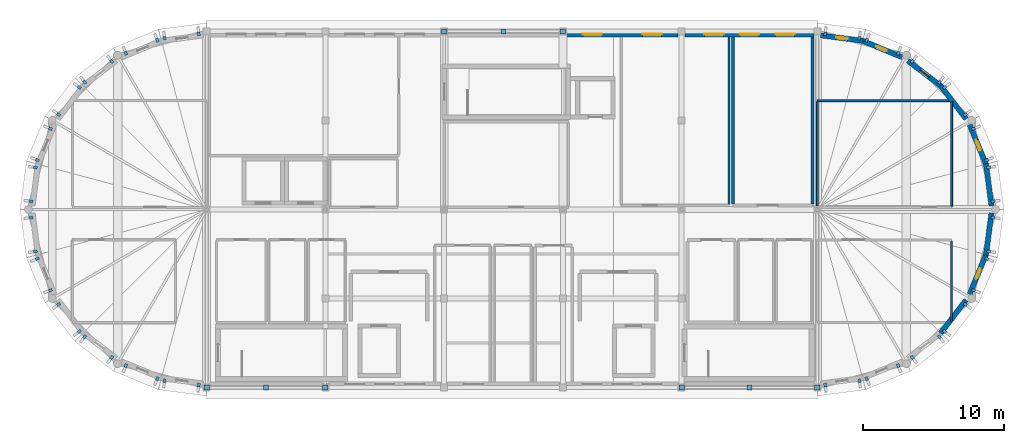
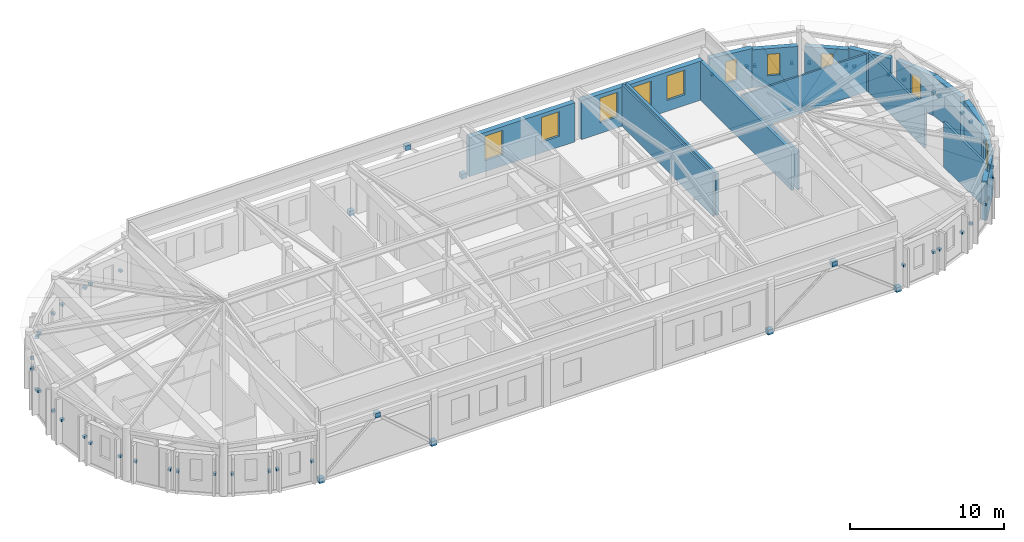
# One storey, part 10 of 11: 57 discrete accessories, 18 walls, 10 windows, 10 openings.
"""IFC4 building model written with IfcOpenShell, lengths in metres."""

import ifcopenshell
import ifcopenshell.guid

model = None  # the IFC model being written
_history = None  # IfcOwnerHistory: only IFC2X3 demands one
_inside = {}  # id of a spatial element -> (the spatial element, [elements in it])
_under = {}  # id of a project, library or spatial element -> (it, [spatial elements below it])
_declared = {}  # id of a project -> (the project, [libraries it declares])
_typed = {}  # id of a type object -> (the type object, [elements of that type])
_made_of = {}  # id of a material, layer set ... -> (it, [elements and type objects made of it])


def new_model(schema):
    """Start an empty IFC model of exactly this schema.

    Asked for "IFC4X3", IfcOpenShell would pick the latest addendum, in which some entities
    have other attributes; the version numbers below select the first issue.
    IFC2X3 requires an IfcOwnerHistory on every rooted entity: one is made here for all.
    """
    global model, _history
    if schema == "IFC4X3":
        model = ifcopenshell.file(schema_version=(4, 3, 0, 0))
    else:
        model = ifcopenshell.file(schema=schema)
    _inside.clear()
    _under.clear()
    _declared.clear()
    _typed.clear()
    _made_of.clear()
    _history = None
    if model.schema == "IFC2X3":
        org = make("IfcOrganization", Name="unknown")
        user = make(
            "IfcPersonAndOrganization",
            ThePerson=make("IfcPerson", FamilyName="unknown"),
            TheOrganization=org,
        )
        app = make(
            "IfcApplication",
            ApplicationDeveloper=org,
            Version="unknown",
            ApplicationFullName="unknown",
            ApplicationIdentifier="unknown",
        )
        _history = make(
            "IfcOwnerHistory",
            OwningUser=user,
            OwningApplication=app,
            ChangeAction="ADDED",
            CreationDate=0,
        )
    return model


def make(cls, **values):
    """One entity of the class cls with the attributes given. An attribute that is None is left unset."""
    return model.create_entity(
        cls, **{name: value for name, value in values.items() if value is not None}
    )


def rooted(cls, **values):
    """An entity with a GlobalId (a new one), such as an element, a storey or a relation."""
    return make(cls, GlobalId=ifcopenshell.guid.new(), OwnerHistory=_history, **values)


def si_unit(unit_type, name, prefix=None):
    """IfcSIUnit, for example si_unit("LENGTHUNIT", "METRE", prefix="MILLI")."""
    return make("IfcSIUnit", UnitType=unit_type, Prefix=prefix, Name=name)


def assignment(units):
    """IfcUnitAssignment: the units of a project."""
    return None if units is None else make("IfcUnitAssignment", Units=units)


def point(xyz):
    """IfcCartesianPoint."""
    return None if xyz is None else make("IfcCartesianPoint", Coordinates=xyz)


def direction(xyz):
    """IfcDirection."""
    return None if xyz is None else make("IfcDirection", DirectionRatios=xyz)


def frame(location, z_axis=None, x_axis=None):
    """IfcAxis2Placement3D, a coordinate frame: its origin and axes. An axis left out is left unset."""
    return make(
        "IfcAxis2Placement3D",
        Location=point(location),
        Axis=direction(z_axis),
        RefDirection=direction(x_axis),
    )


def frame_2d(location, x_axis=None):
    """IfcAxis2Placement2D, a coordinate frame in the plane: its origin and x axis."""
    return make(
        "IfcAxis2Placement2D", Location=point(location), RefDirection=direction(x_axis)
    )


def origin():
    """The frame at (0, 0, 0) with its axes left unset."""
    return frame((0.0, 0.0, 0.0))


def origin_2d():
    """The frame at (0, 0) in the plane with its x axis left unset."""
    return frame_2d((0.0, 0.0))


def place(relative_to, where):
    """IfcLocalPlacement: puts the frame where relative to a parent placement (None: the world)."""
    return make(
        "IfcLocalPlacement", PlacementRelTo=relative_to, RelativePlacement=where
    )


def context(
    kind, dimensions, precision=None, world=None, true_north=None, identifier=None
):
    """IfcGeometricRepresentationContext, for example the 3D "Model" context."""
    return make(
        "IfcGeometricRepresentationContext",
        ContextIdentifier=identifier,
        ContextType=kind,
        CoordinateSpaceDimension=dimensions,
        Precision=precision,
        WorldCoordinateSystem=world,
        TrueNorth=true_north,
    )


def subcontext(parent, identifier, kind, view, scale=None):
    """IfcGeometricRepresentationSubContext, for example "Body" below "Model"."""
    return make(
        "IfcGeometricRepresentationSubContext",
        ContextIdentifier=identifier,
        ContextType=kind,
        ParentContext=parent,
        TargetScale=scale,
        TargetView=view,
    )


def project(units=None, contexts=None):
    """IfcProject with its units and contexts."""
    return rooted(
        "IfcProject",
        Name="project",
        RepresentationContexts=contexts,
        UnitsInContext=assignment(units),
    )


def spatial(cls, under=None, at=None, **own):
    """A site, building, storey or space (cls), placed at a placement, below another one or the project."""
    s = rooted(cls, ObjectPlacement=at, **own)
    if under is not None:
        _under.setdefault(under.id(), (under, []))[1].append(s)
    return s


def profile(cls, at=None, kind="AREA", **sizes):
    """A parametric profile (cls). Its sizes go by their IFC names, for example OverallWidth=200.0."""
    return make(cls, ProfileType=kind, Position=at, **sizes)


def rectangle(**sizes):
    """IfcRectangleProfileDef."""
    return profile("IfcRectangleProfileDef", **sizes)


def extrude(swept, where, along, depth):
    """IfcExtrudedAreaSolid: the profile swept, set in the frame where, extruded along a direction by depth."""
    return make(
        "IfcExtrudedAreaSolid",
        SweptArea=swept,
        Position=where,
        ExtrudedDirection=direction(along),
        Depth=depth,
    )


def shape(context_of_items, identifier, shape_type, items):
    """IfcShapeRepresentation: the items that make up one representation, for example the "Body"."""
    return make(
        "IfcShapeRepresentation",
        ContextOfItems=context_of_items,
        RepresentationIdentifier=identifier,
        RepresentationType=shape_type,
        Items=items,
    )


def material(Name=None, Category=None):
    """IfcMaterial."""
    return make("IfcMaterial", Name=Name, Category=Category)


def layer(
    of_material, thickness, ventilated=None, Name=None, Category=None, Priority=None
):
    """IfcMaterialLayer: one layer of a wall or slab, of a material (None: an air gap)."""
    return make(
        "IfcMaterialLayer",
        Material=of_material,
        LayerThickness=thickness,
        IsVentilated=ventilated,
        Name=Name,
        Category=Category,
        Priority=Priority,
    )


def layer_set(layers, Name=None):
    """IfcMaterialLayerSet."""
    return make("IfcMaterialLayerSet", MaterialLayers=layers, LayerSetName=Name)


def made_of(thing, what):
    """Note that an element or type object is made of a material, layer set ...; save() writes the relation."""
    if what is not None:
        _made_of.setdefault(what.id(), (what, []))[1].append(thing)
    return thing


def type_object(cls, material=None, **own):
    """A type object (cls), such as IfcWallType, which elements share."""
    return made_of(rooted(cls, **own), material)


def element(
    cls,
    number,
    at=None,
    inside=None,
    cuts=None,
    type_object=None,
    material=None,
    context=None,
    identifier="Body",
    shape_type=None,
    held_by="IfcProductDefinitionShape",
    body=None,
    shapes=None,
    **own,
):
    """One element of the class cls, such as IfcWall. Its Tag is "e" and its number.

    at: its placement. inside: the storey or other place that contains it. cuts: it is an
    opening in that element (IfcRelVoidsElement). A single representation is given by context,
    identifier, shape_type and body (its items); several are given by shapes. held_by: the class
    of the entity that holds the representations. save() writes the other relations.
    """
    e = rooted(cls, Tag="e%d" % number, ObjectPlacement=at, **own)
    if body is not None:
        shapes = [shape(context, identifier, shape_type, body)]
    if shapes is not None:
        e.Representation = make(held_by, Representations=shapes)
    if inside is not None:
        _inside.setdefault(inside.id(), (inside, []))[1].append(e)
    if cuts is not None:
        rooted(
            "IfcRelVoidsElement", RelatingBuildingElement=cuts, RelatedOpeningElement=e
        )
    if type_object is not None:
        _typed.setdefault(type_object.id(), (type_object, []))[1].append(e)
    return made_of(e, material)


def fill(opening, filler):
    """IfcRelFillsElement: the door or window that sits in an opening."""
    return rooted(
        "IfcRelFillsElement",
        RelatingOpeningElement=opening,
        RelatedBuildingElement=filler,
    )


def aggregate(whole, parts):
    """IfcRelAggregates: a whole, such as a stair, and the parts it consists of."""
    return rooted("IfcRelAggregates", RelatingObject=whole, RelatedObjects=parts)


def save(model, path):
    """Write the relations noted so far, then the file.

    IfcRelAggregates (storeys below a building ...), IfcRelContainedInSpatialStructure (elements
    in a storey), IfcRelDefinesByType, IfcRelAssociatesMaterial and IfcRelDeclares: one each for
    every whole, place, type object, material and project.
    """
    for whole, parts in _under.values():
        aggregate(whole, parts)
    for where, things in _inside.values():
        rooted(
            "IfcRelContainedInSpatialStructure",
            RelatedElements=things,
            RelatingStructure=where,
        )
    for kind, things in _typed.values():
        rooted("IfcRelDefinesByType", RelatedObjects=things, RelatingType=kind)
    for what, things in _made_of.values():
        rooted("IfcRelAssociatesMaterial", RelatedObjects=things, RelatingMaterial=what)
    for by, libraries in _declared.values():
        rooted("IfcRelDeclares", RelatingContext=by, RelatedDefinitions=libraries)
    model.write(path)


model = new_model("IFC4")

# Units and contexts
model_context = context("Model", 3, precision=1e-05, world=origin(), true_north=direction((0.0, 1.0)))
body_context = subcontext(model_context, "Body", "Model", "MODEL_VIEW")
ifc_project = project(units=[si_unit("LENGTHUNIT", "METRE"), si_unit("AREAUNIT", "SQUARE_METRE"), si_unit("VOLUMEUNIT", "CUBIC_METRE"), si_unit("PLANEANGLEUNIT", "RADIAN"), si_unit("MASSUNIT", "GRAM", prefix="KILO")], contexts=[model_context])

# Site, building, storey
site_placement = place(None, origin())
site = spatial("IfcSite", under=ifc_project, at=site_placement, CompositionType="ELEMENT")
building_placement = place(site_placement, origin())
building = spatial("IfcBuilding", under=site, at=building_placement, Name="Tarnavel Promenade Courthouse", CompositionType="ELEMENT")
storey_placement = place(building_placement, frame((0.0, 0.0, 35.39990234375)))
storey = spatial("IfcBuildingStorey", under=building, at=storey_placement, Name="L09", CompositionType="ELEMENT", Elevation=35.39990234375)

# Walls
ifc_material_1 = material(Name="Acoustic Insulated Gypsum Stud Partition", Category="gypsum")
ifc_layer_1 = layer(ifc_material_1, 0.14990234375)
ifc_layer_set_1 = layer_set([ifc_layer_1], Name="Acoustic Insulated Gypsum Stud Partition")
wall_type_1 = type_object("IfcWallType", Name="Acoustic Insulated Gypsum Stud Partition WL-LIB-150 (150 mm)", PredefinedType="PARTITIONING", material=ifc_layer_set_1)
wall_1_placement = place(storey_placement, frame((111.5, 89.56494140625, 0.0), z_axis=(0.0, 0.0, 1.0), x_axis=(0.0, -1.0, 0.0)))
element("IfcWall", 1, at=wall_1_placement, inside=storey, type_object=wall_type_1, Name="L09 L09 East Drum Collegium Reference Room Partition 1060", PredefinedType="PARTITIONING", context=body_context, shape_type="SweptSolid", body=[
    extrude(rectangle(XDim=5.679931640625, YDim=0.14990234375, at=frame_2d((2.83984375, 0.0))), origin(), (0.0, 0.0, 1.0), 3.59521484375),
])
ifc_material_2 = material(Name="Concrete Masonry Fire Compartment Wall", Category="masonry")
ifc_layer_2 = layer(ifc_material_2, 0.205078125)
ifc_layer_set_2 = layer_set([ifc_layer_2], Name="Concrete Masonry Fire Compartment Wall")
wall_type_2 = type_object("IfcWallType", Name="Concrete Masonry Fire Compartment Wall WL-CMP-205 (205 mm)", PredefinedType="STANDARD", material=ifc_layer_set_2)
wall_2_placement = place(storey_placement, frame((96.02587890625, 92.202392578125, 0.0), z_axis=(0.0, 0.0, 1.0), x_axis=(0.0, 1.0, 0.0)))
element("IfcWall", 2, at=wall_2_placement, inside=storey, type_object=wall_type_2, Name="L09 Upper Air-Handling Plant Room West Partition 1034", PredefinedType="STANDARD", context=body_context, shape_type="SweptSolid", body=[
    extrude(rectangle(XDim=11.793701171875, YDim=0.205078125, at=frame_2d((5.89697265625, 0.0))), origin(), (0.0, 0.0, 1.0), 3.295166015625),
])
wall_3_placement = place(storey_placement, frame((101.659912109375, 103.99609375, 0.0), z_axis=(0.0, 0.0, 1.0), x_axis=(0.0, -1.0, 0.0)))
element("IfcWall", 3, at=wall_3_placement, inside=storey, type_object=wall_type_2, Name="L09 Upper Air-Handling Plant Room West Partition 1035", PredefinedType="STANDARD", context=body_context, shape_type="SweptSolid", body=[
    extrude(rectangle(XDim=11.793701171875, YDim=0.205078125, at=frame_2d((5.89697265625, 0.0))), origin(), (0.0, 0.0, 1.0), 3.09521484375),
])

# Wall, openings, windows
ifc_material_3 = material(Name="Cream Brick Insulated Cavity Facade Assembly", Category="masonry")
ifc_layer_3 = layer(ifc_material_3, 0.3798828125)
ifc_layer_set_3 = layer_set([ifc_layer_3], Name="Cream Brick Insulated Cavity Facade Assembly")
wall_type_3 = type_object("IfcWallType", Name="Cream Brick Insulated Cavity Facade Assembly WL-EXT-380 (380 mm)", PredefinedType="STANDARD", material=ifc_layer_set_3)
wall_4_placement = place(storey_placement, frame((84.241943359375, 104.179931640625, 0.0), z_axis=(0.0, 0.0, 1.0), x_axis=(1.0, 0.0, 0.0)))
wall_4 = element("IfcWall", 4, at=wall_4_placement, inside=storey, type_object=wall_type_3, Name="L09 Bar North Limestone Facade 0241", PredefinedType="STANDARD", context=body_context, shape_type="SweptSolid", body=[
    extrude(rectangle(XDim=7.916015625, YDim=0.3798828125, at=frame_2d((3.9580078125, 0.0))), origin(), (0.0, 0.0, 1.0), 3.09521484375),
])
opening_1_placement = place(wall_4_placement, frame((1.169677734375, 0.0, 0.85009765625)))
opening_1 = element("IfcOpeningElement", 5, at=opening_1_placement, cuts=wall_4, Name="Opening W-04", PredefinedType="OPENING", context=body_context, shape_type="SweptSolid", body=[
    extrude(rectangle(XDim=1.35009765625, YDim=1.949951171875, at=frame_2d((0.675048828125, 0.97509765625))), frame((0.0, 0.199951171875, 0.0), z_axis=(0.0, -1.0, 0.0), x_axis=(1.0, 0.0, 0.0)), (0.0, 0.0, 1.0), 0.39990234375),
])
opening_2_placement = place(wall_4_placement, frame((5.396240234375, 0.0, 0.85009765625)))
opening_2 = element("IfcOpeningElement", 6, at=opening_2_placement, cuts=wall_4, Name="Opening W-04", PredefinedType="OPENING", context=body_context, shape_type="SweptSolid", body=[
    extrude(rectangle(XDim=1.35009765625, YDim=1.949951171875, at=frame_2d((0.675048828125, 0.97509765625))), frame((0.0, 0.199951171875, 0.0), z_axis=(0.0, -1.0, 0.0), x_axis=(1.0, 0.0, 0.0)), (0.0, 0.0, 1.0), 0.39990234375),
])
ifc_material_4 = material(Name="Triple Low-E Glazed Bronze-Clad Window Assembly")
window_type_1 = type_object("IfcWindowType", Name="Triple-Glazed Bronze-Clad Timber-Aluminium WIN-CHM-1350x1950", PartitioningType="SINGLE_PANEL", PredefinedType="WINDOW", material=ifc_material_4)
window_1_placement = place(opening_1_placement, origin())
window_1 = element("IfcWindow", 7, at=window_1_placement, inside=storey, type_object=window_type_1, Name="L09 Exterior Window 0205", OverallHeight=1.949951171875, OverallWidth=1.35009765625, PartitioningType="SINGLE_PANEL", PredefinedType="WINDOW", context=body_context, shape_type="SweptSolid", body=[
    extrude(rectangle(XDim=1.35009765625, YDim=1.949951171875, at=frame_2d((0.675048828125, 0.97509765625))), frame((0.0, 0.030029296875, 0.0), z_axis=(0.0, -1.0, 0.0), x_axis=(1.0, 0.0, 0.0)), (0.0, 0.0, 1.0), 0.06005859375),
])
fill(opening_1, window_1)
window_2_placement = place(opening_2_placement, origin())
window_2 = element("IfcWindow", 8, at=window_2_placement, inside=storey, type_object=window_type_1, Name="L09 Exterior Window 0206", OverallHeight=1.949951171875, OverallWidth=1.35009765625, PartitioningType="SINGLE_PANEL", PredefinedType="WINDOW", context=body_context, shape_type="SweptSolid", body=[
    extrude(rectangle(XDim=1.35009765625, YDim=1.949951171875, at=frame_2d((0.675048828125, 0.97509765625))), frame((0.0, 0.030029296875, 0.0), z_axis=(0.0, -1.0, 0.0), x_axis=(1.0, 0.0, 0.0)), (0.0, 0.0, 1.0), 0.06005859375),
])
fill(opening_2, window_2)

wall_5_placement = place(storey_placement, frame((92.64208984375, 104.179931640625, 0.0), z_axis=(0.0, 0.0, 1.0), x_axis=(1.0, 0.0, 0.0)))
wall_5 = element("IfcWall", 9, at=wall_5_placement, inside=storey, type_object=wall_type_3, Name="L09 Bar North Limestone Facade 0242", PredefinedType="STANDARD", context=body_context, shape_type="SweptSolid", body=[
    extrude(rectangle(XDim=9.115966796875, YDim=0.3798828125, at=frame_2d((4.55810546875, 0.0))), origin(), (0.0, 0.0, 1.0), 3.09521484375),
])
opening_3_placement = place(wall_5_placement, frame((1.36962890625, 0.0, 0.85009765625)))
opening_3 = element("IfcOpeningElement", 10, at=opening_3_placement, cuts=wall_5, Name="Opening W-04", PredefinedType="OPENING", context=body_context, shape_type="SweptSolid", body=[
    extrude(rectangle(XDim=1.35009765625, YDim=1.949951171875, at=frame_2d((0.675048828125, 0.97509765625))), frame((0.0, 0.199951171875, 0.0), z_axis=(0.0, -1.0, 0.0), x_axis=(1.0, 0.0, 0.0)), (0.0, 0.0, 1.0), 0.39990234375),
])
opening_4_placement = place(wall_5_placement, frame((3.883056640625, 0.0, 0.85009765625)))
opening_4 = element("IfcOpeningElement", 11, at=opening_4_placement, cuts=wall_5, Name="Opening W-04", PredefinedType="OPENING", context=body_context, shape_type="SweptSolid", body=[
    extrude(rectangle(XDim=1.35009765625, YDim=1.949951171875, at=frame_2d((0.675048828125, 0.97509765625))), frame((0.0, 0.199951171875, 0.0), z_axis=(0.0, -1.0, 0.0), x_axis=(1.0, 0.0, 0.0)), (0.0, 0.0, 1.0), 0.39990234375),
])
opening_5_placement = place(wall_5_placement, frame((6.396240234375, 0.0, 0.85009765625)))
opening_5 = element("IfcOpeningElement", 12, at=opening_5_placement, cuts=wall_5, Name="Opening W-04", PredefinedType="OPENING", context=body_context, shape_type="SweptSolid", body=[
    extrude(rectangle(XDim=1.35009765625, YDim=1.949951171875, at=frame_2d((0.675048828125, 0.97509765625))), frame((0.0, 0.199951171875, 0.0), z_axis=(0.0, -1.0, 0.0), x_axis=(1.0, 0.0, 0.0)), (0.0, 0.0, 1.0), 0.39990234375),
])
window_3_placement = place(opening_3_placement, origin())
window_3 = element("IfcWindow", 13, at=window_3_placement, inside=storey, type_object=window_type_1, Name="L09 Exterior Window 0207", OverallHeight=1.949951171875, OverallWidth=1.35009765625, PartitioningType="SINGLE_PANEL", PredefinedType="WINDOW", context=body_context, shape_type="SweptSolid", body=[
    extrude(rectangle(XDim=1.35009765625, YDim=1.949951171875, at=frame_2d((0.675048828125, 0.97509765625))), frame((0.0, 0.030029296875, 0.0), z_axis=(0.0, -1.0, 0.0), x_axis=(1.0, 0.0, 0.0)), (0.0, 0.0, 1.0), 0.06005859375),
])
fill(opening_3, window_3)
window_4_placement = place(opening_4_placement, origin())
window_4 = element("IfcWindow", 14, at=window_4_placement, inside=storey, type_object=window_type_1, Name="L09 Exterior Window 0208", OverallHeight=1.949951171875, OverallWidth=1.35009765625, PartitioningType="SINGLE_PANEL", PredefinedType="WINDOW", context=body_context, shape_type="SweptSolid", body=[
    extrude(rectangle(XDim=1.35009765625, YDim=1.949951171875, at=frame_2d((0.675048828125, 0.97509765625))), frame((0.0, 0.030029296875, 0.0), z_axis=(0.0, -1.0, 0.0), x_axis=(1.0, 0.0, 0.0)), (0.0, 0.0, 1.0), 0.06005859375),
])
fill(opening_4, window_4)
window_5_placement = place(opening_5_placement, origin())
window_5 = element("IfcWindow", 15, at=window_5_placement, inside=storey, type_object=window_type_1, Name="L09 Exterior Window 0209", OverallHeight=1.949951171875, OverallWidth=1.35009765625, PartitioningType="SINGLE_PANEL", PredefinedType="WINDOW", context=body_context, shape_type="SweptSolid", body=[
    extrude(rectangle(XDim=1.35009765625, YDim=1.949951171875, at=frame_2d((0.675048828125, 0.97509765625))), frame((0.0, 0.030029296875, 0.0), z_axis=(0.0, -1.0, 0.0), x_axis=(1.0, 0.0, 0.0)), (0.0, 0.0, 1.0), 0.06005859375),
])
fill(opening_5, window_5)

# Walls
ifc_material_5 = material(Name="Metal-Stud Acoustic Gypsum Partition", Category="gypsum")
ifc_layer_4 = layer(ifc_material_5, 0.135009765625)
ifc_layer_set_4 = layer_set([ifc_layer_4], Name="Metal-Stud Acoustic Gypsum Partition")
wall_type_4 = type_object("IfcWallType", Name="Metal-Stud Acoustic Gypsum Partition WL-OFF-135 (135 mm)", PredefinedType="PARTITIONING", material=ifc_layer_set_4)
wall_6_placement = place(storey_placement, frame((95.74609375, 103.99609375, 0.0), z_axis=(0.0, 0.0, 1.0), x_axis=(0.0, -1.0, 0.0)))
element("IfcWall", 16, at=wall_6_placement, inside=storey, type_object=wall_type_4, Name="L09 Judicial Council Boardroom Partition 1032", PredefinedType="PARTITIONING", context=body_context, shape_type="SweptSolid", body=[
    extrude(rectangle(XDim=11.82861328125, YDim=0.135009765625, at=frame_2d((5.914306640625, 0.0))), origin(), (0.0, 0.0, 1.0), 3.295166015625),
])
wall_7_placement = place(storey_placement, frame((102.0, 99.5, 0.0), z_axis=(0.0, 0.0, 1.0), x_axis=(1.0, 0.0, 0.0)))
element("IfcWall", 17, at=wall_7_placement, inside=storey, type_object=wall_type_4, Name="L09 L09 East Drum Rotunda Office North Partition 1053", PredefinedType="PARTITIONING", context=body_context, shape_type="SweptSolid", body=[
    extrude(rectangle(XDim=9.5, YDim=0.135009765625, at=frame_2d((4.75, 0.0))), origin(), (0.0, 0.0, 1.0), 2.9951171875),
])
for number, where, z_axis, x_axis, name in (
    (18, (102.0, 92.027587890625, 0.0), (0.0, 0.0, 1.0), (0.0, 1.0, 0.0), "L09 L09 East Drum Rotunda Office North Partition 1055"),
    (19, (111.5, 99.422607421875, 0.0), (0.0, 0.0, 1.0), (0.0, -1.0, 0.0), "L09 L09 East Drum Rotunda Office North Partition 1056"),
):
    element("IfcWall", number, at=place(storey_placement, frame(where, z_axis=z_axis, x_axis=x_axis)), inside=storey, type_object=wall_type_4, Name=name, PredefinedType="PARTITIONING", context=body_context, shape_type="SweptSolid", body=[
        extrude(rectangle(XDim=7.39501953125, YDim=0.135009765625, at=frame_2d((3.697509765625, 0.0))), origin(), (0.0, 0.0, 1.0), 3.09521484375),
    ])
ifc_material_6 = material(Name="Patinated Copper-Bronze Insulated Drum Wall Assembly", Category="masonry")
ifc_layer_5 = layer(ifc_material_6, 0.364990234375)
ifc_layer_set_5 = layer_set([ifc_layer_5], Name="Patinated Copper-Bronze Insulated Drum Wall Assembly")
wall_type_5 = type_object("IfcWallType", Name="Patinated Copper-Bronze Insulated Drum Wall Assembly WL-DRUM-365 (365 mm)", PredefinedType="ELEMENTEDWALL", material=ifc_layer_set_5)
wall_8_placement = place(storey_placement, frame((110.711181640625, 83.04248046875, 0.0), z_axis=(0.0, 0.0, 1.0), x_axis=(0.608710660898, 0.793392293452, 0.0)))
element("IfcWall", 20, at=wall_8_placement, inside=storey, type_object=wall_type_5, Name="L09 E Copper Drum Chord Wall 04 0263", PredefinedType="ELEMENTEDWALL", context=body_context, shape_type="SweptSolid", body=[
    extrude(rectangle(XDim=2.974365234375, YDim=0.364990234375, at=frame_2d((1.4873046875, 0.0))), origin(), (0.0, 0.0, 1.0), 3.09521484375),
])

# Wall, opening, window
wall_9_placement = place(storey_placement, frame((112.767822265625, 85.805419921875, 0.0), z_axis=(0.0, 0.0, 1.0), x_axis=(0.382689777405, 0.923876904284, 0.0)))
wall_9 = element("IfcWall", 21, at=wall_9_placement, inside=storey, type_object=wall_type_5, Name="L09 E Copper Drum Chord Wall 05 0264", PredefinedType="ELEMENTEDWALL", context=body_context, shape_type="SweptSolid", body=[
    extrude(rectangle(XDim=3.062255859375, YDim=0.364990234375, at=frame_2d((1.53125, 0.0))), origin(), (0.0, 0.0, 1.0), 3.09521484375),
])
opening_6_placement = place(wall_9_placement, frame((1.175048828125, 0.0, 0.85009765625)))
opening_6 = element("IfcOpeningElement", 22, at=opening_6_placement, cuts=wall_9, Name="Opening W-09", PredefinedType="OPENING", context=body_context, shape_type="SweptSolid", body=[
    extrude(rectangle(XDim=0.800048828125, YDim=1.699951171875, at=frame_2d((0.39990234375, 0.85009765625))), frame((0.0, 0.1923828125, 0.0), z_axis=(0.0, -1.0, 0.0), x_axis=(1.0, 0.0, 0.0)), (0.0, 0.0, 1.0), 0.385009765625),
])
window_type_2 = type_object("IfcWindowType", Name="Triple-Glazed Bronze-Clad Timber-Aluminium WIN-DRM-0800x1700", PartitioningType="SINGLE_PANEL", PredefinedType="WINDOW", material=ifc_material_4)
window_6_placement = place(opening_6_placement, origin())
window_6 = element("IfcWindow", 23, at=window_6_placement, inside=storey, type_object=window_type_2, Name="L09 Exterior Window 0228", OverallHeight=1.699951171875, OverallWidth=0.800048828125, PartitioningType="SINGLE_PANEL", PredefinedType="WINDOW", context=body_context, shape_type="SweptSolid", body=[
    extrude(rectangle(XDim=0.800048828125, YDim=1.699951171875, at=frame_2d((0.39990234375, 0.85009765625))), frame((0.0, 0.030029296875, 0.0), z_axis=(0.0, -1.0, 0.0), x_axis=(1.0, 0.0, 0.0)), (0.0, 0.0, 1.0), 0.06005859375),
])
fill(opening_6, window_6)

# Walls
for number, where, z_axis, x_axis, name in (
    (24, (113.9228515625, 88.571533203125, 0.0), (0.0, 0.0, 1.0), (0.130517619253, 0.991445989989, 0.0), "L09 E Copper Drum Chord Wall 06 0265"),
    (25, (114.314697265625, 92.052001953125, 0.0), (0.0, 0.0, 1.0), (-0.130517619253, 0.991445989989, 0.0), "L09 E Copper Drum Chord Wall 07 0266"),
):
    element("IfcWall", number, at=place(storey_placement, frame(where, z_axis=z_axis, x_axis=x_axis)), inside=storey, type_object=wall_type_5, Name=name, PredefinedType="ELEMENTEDWALL", context=body_context, shape_type="SweptSolid", body=[
        extrude(rectangle(XDim=3.002197265625, YDim=0.364990234375, at=frame_2d((1.5009765625, 0.0))), origin(), (0.0, 0.0, 1.0), 3.09521484375),
    ])

# Wall, opening, window
wall_10_placement = place(storey_placement, frame((113.939697265625, 94.965576171875, 0.0), z_axis=(0.0, 0.0, 1.0), x_axis=(-0.382689777405, 0.923876904284, 0.0)))
wall_10 = element("IfcWall", 26, at=wall_10_placement, inside=storey, type_object=wall_type_5, Name="L09 E Copper Drum Chord Wall 08 0267", PredefinedType="ELEMENTEDWALL", context=body_context, shape_type="SweptSolid", body=[
    extrude(rectangle(XDim=3.062255859375, YDim=0.364990234375, at=frame_2d((1.53125, 0.0))), origin(), (0.0, 0.0, 1.0), 3.09521484375),
])
opening_7_placement = place(wall_10_placement, frame((1.087158203125, 0.0, 0.85009765625)))
opening_7 = element("IfcOpeningElement", 27, at=opening_7_placement, cuts=wall_10, Name="Opening W-09", PredefinedType="OPENING", context=body_context, shape_type="SweptSolid", body=[
    extrude(rectangle(XDim=0.800048828125, YDim=1.699951171875, at=frame_2d((0.39990234375, 0.85009765625))), frame((0.0, 0.1923828125, 0.0), z_axis=(0.0, -1.0, 0.0), x_axis=(1.0, 0.0, 0.0)), (0.0, 0.0, 1.0), 0.385009765625),
])
window_7_placement = place(opening_7_placement, origin())
window_7 = element("IfcWindow", 28, at=window_7_placement, inside=storey, type_object=window_type_2, Name="L09 Exterior Window 0229", OverallHeight=1.699951171875, OverallWidth=0.800048828125, PartitioningType="SINGLE_PANEL", PredefinedType="WINDOW", context=body_context, shape_type="SweptSolid", body=[
    extrude(rectangle(XDim=0.800048828125, YDim=1.699951171875, at=frame_2d((0.39990234375, 0.85009765625))), frame((0.0, 0.030029296875, 0.0), z_axis=(0.0, -1.0, 0.0), x_axis=(1.0, 0.0, 0.0)), (0.0, 0.0, 1.0), 0.06005859375),
])
fill(opening_7, window_7)

# Wall
wall_11_placement = place(storey_placement, frame((112.521728515625, 98.19775390625, 0.0), z_axis=(0.0, 0.0, 1.0), x_axis=(-0.608750303306, 0.793361877219, 0.0)))
element("IfcWall", 29, at=wall_11_placement, inside=storey, type_object=wall_type_5, Name="L09 E Copper Drum Chord Wall 09 0268", PredefinedType="ELEMENTEDWALL", context=body_context, shape_type="SweptSolid", body=[
    extrude(rectangle(XDim=2.97412109375, YDim=0.364990234375, at=frame_2d((1.487060546875, 0.0))), origin(), (0.0, 0.0, 1.0), 3.09521484375),
])

# Wall, opening, window
wall_12_placement = place(storey_placement, frame((110.75732421875, 100.51123046875, 0.0), z_axis=(0.0, 0.0, 1.0), x_axis=(-0.793361877219, 0.608750303306, 0.0)))
wall_12 = element("IfcWall", 30, at=wall_12_placement, inside=storey, type_object=wall_type_5, Name="L09 E Copper Drum Chord Wall 10 0269", PredefinedType="ELEMENTEDWALL", context=body_context, shape_type="SweptSolid", body=[
    extrude(rectangle(XDim=2.97412109375, YDim=0.364990234375, at=frame_2d((1.487060546875, 0.0))), origin(), (0.0, 0.0, 1.0), 2.9951171875),
])
opening_8_placement = place(wall_12_placement, frame((1.087158203125, 0.0, 0.85009765625)))
opening_8 = element("IfcOpeningElement", 31, at=opening_8_placement, cuts=wall_12, Name="Opening W-09", PredefinedType="OPENING", context=body_context, shape_type="SweptSolid", body=[
    extrude(rectangle(XDim=0.800048828125, YDim=1.699951171875, at=frame_2d((0.39990234375, 0.85009765625))), frame((0.0, 0.1923828125, 0.0), z_axis=(0.0, -1.0, 0.0), x_axis=(1.0, 0.0, 0.0)), (0.0, 0.0, 1.0), 0.385009765625),
])
window_8_placement = place(opening_8_placement, origin())
window_8 = element("IfcWindow", 32, at=window_8_placement, inside=storey, type_object=window_type_2, Name="L09 Exterior Window 0230", OverallHeight=1.699951171875, OverallWidth=0.800048828125, PartitioningType="SINGLE_PANEL", PredefinedType="WINDOW", context=body_context, shape_type="SweptSolid", body=[
    extrude(rectangle(XDim=0.800048828125, YDim=1.699951171875, at=frame_2d((0.39990234375, 0.85009765625))), frame((0.0, 0.030029296875, 0.0), z_axis=(0.0, -1.0, 0.0), x_axis=(1.0, 0.0, 0.0)), (0.0, 0.0, 1.0), 0.06005859375),
])
fill(opening_8, window_8)

wall_13_placement = place(storey_placement, frame((107.99462890625, 102.56787109375, 0.0), z_axis=(0.0, 0.0, 1.0), x_axis=(-0.923876904284, 0.382689777405, 0.0)))
wall_13 = element("IfcWall", 33, at=wall_13_placement, inside=storey, type_object=wall_type_5, Name="L09 E Copper Drum Chord Wall 11 0270", PredefinedType="ELEMENTEDWALL", context=body_context, shape_type="SweptSolid", body=[
    extrude(rectangle(XDim=3.062255859375, YDim=0.364990234375, at=frame_2d((1.53125, 0.0))), origin(), (0.0, 0.0, 1.0), 2.9951171875),
])
opening_9_placement = place(wall_13_placement, frame((1.175048828125, 0.0, 0.85009765625)))
opening_9 = element("IfcOpeningElement", 34, at=opening_9_placement, cuts=wall_13, Name="Opening W-09", PredefinedType="OPENING", context=body_context, shape_type="SweptSolid", body=[
    extrude(rectangle(XDim=0.800048828125, YDim=1.699951171875, at=frame_2d((0.39990234375, 0.85009765625))), frame((0.0, 0.1923828125, 0.0), z_axis=(0.0, -1.0, 0.0), x_axis=(1.0, 0.0, 0.0)), (0.0, 0.0, 1.0), 0.385009765625),
])
window_9_placement = place(opening_9_placement, origin())
window_9 = element("IfcWindow", 35, at=window_9_placement, inside=storey, type_object=window_type_2, Name="L09 Exterior Window 0231", OverallHeight=1.699951171875, OverallWidth=0.800048828125, PartitioningType="SINGLE_PANEL", PredefinedType="WINDOW", context=body_context, shape_type="SweptSolid", body=[
    extrude(rectangle(XDim=0.800048828125, YDim=1.699951171875, at=frame_2d((0.39990234375, 0.85009765625))), frame((0.0, 0.030029296875, 0.0), z_axis=(0.0, -1.0, 0.0), x_axis=(1.0, 0.0, 0.0)), (0.0, 0.0, 1.0), 0.06005859375),
])
fill(opening_9, window_9)

wall_14_placement = place(storey_placement, frame((105.228515625, 103.722900390625, 0.0), z_axis=(0.0, 0.0, 1.0), x_axis=(-0.991450452257, 0.130483718216, 0.0)))
wall_14 = element("IfcWall", 36, at=wall_14_placement, inside=storey, type_object=wall_type_5, Name="L09 E Copper Drum Chord Wall 12 0271", PredefinedType="ELEMENTEDWALL", context=body_context, shape_type="SweptSolid", body=[
    extrude(rectangle(XDim=3.02734375, YDim=0.364990234375, at=frame_2d((1.513671875, 0.0))), origin(), (0.0, 0.0, 1.0), 3.09521484375),
])
opening_10_placement = place(wall_14_placement, frame((1.099609375, 0.0, 0.85009765625)))
opening_10 = element("IfcOpeningElement", 37, at=opening_10_placement, cuts=wall_14, Name="Opening W-09", PredefinedType="OPENING", context=body_context, shape_type="SweptSolid", body=[
    extrude(rectangle(XDim=0.800048828125, YDim=1.699951171875, at=frame_2d((0.39990234375, 0.85009765625))), frame((0.0, 0.1923828125, 0.0), z_axis=(0.0, -1.0, 0.0), x_axis=(1.0, 0.0, 0.0)), (0.0, 0.0, 1.0), 0.385009765625),
])
window_10_placement = place(opening_10_placement, origin())
window_10 = element("IfcWindow", 38, at=window_10_placement, inside=storey, type_object=window_type_2, Name="L09 Exterior Window 0232", OverallHeight=1.699951171875, OverallWidth=0.800048828125, PartitioningType="SINGLE_PANEL", PredefinedType="WINDOW", context=body_context, shape_type="SweptSolid", body=[
    extrude(rectangle(XDim=0.800048828125, YDim=1.699951171875, at=frame_2d((0.39990234375, 0.85009765625))), frame((0.0, 0.030029296875, 0.0), z_axis=(0.0, -1.0, 0.0), x_axis=(1.0, 0.0, 0.0)), (0.0, 0.0, 1.0), 0.06005859375),
])
fill(opening_10, window_10)

# Discrete accessories
ifc_material_7 = material(Name="Steel S355J2", Category="steel")
discrete_accessory_type_1 = type_object("IfcDiscreteAccessoryType", Name="Steel S355J2 Facade Pier Anchor Bracket", PredefinedType="BRACKET", material=ifc_material_7)
for number, where, z_axis, x_axis, name in (
    (39, (58.247802734375, 104.2265625, 1.45751953125), (0.0, 0.0, 1.0), (-0.991444861374, -0.13052619222, 0.0), "L09 Drum Pier Bracket 0319"),
    (40, (55.82958984375, 103.908203125, 1.45751953125), (0.0, 0.0, 1.0), (-0.991444861374, -0.13052619222, 0.0), "L09 Drum Pier Bracket 0320"),
    (41, (55.318603515625, 103.77099609375, 1.40771484375), (0.0, 0.0, 1.0), (-0.923879532511, -0.382683432365, 0.0), "L09 Drum Pier Bracket 0321"),
    (42, (53.087890625, 102.84716796875, 1.40771484375), (0.0, 0.0, 1.0), (-0.923879532511, -0.382683432365, 0.0), "L09 Drum Pier Bracket 0322"),
    (43, (52.0888671875, 102.2705078125, 1.40771484375), (0.0, 0.0, 1.0), (-0.793353340291, -0.608761429009, 0.0), "L09 Drum Pier Bracket 0323"),
    (44, (50.173583984375, 100.80078125, 1.40771484375), (0.0, 0.0, 1.0), (-0.793353340291, -0.608761429009, 0.0), "L09 Drum Pier Bracket 0324"),
    (45, (49.79931640625, 100.426513671875, 1.45751953125), (0.0, 0.0, 1.0), (-0.608761429009, -0.793353340291, 0.0), "L09 Drum Pier Bracket 0325"),
    (46, (48.32958984375, 98.51123046875, 1.45751953125), (0.0, 0.0, 1.0), (-0.608761429009, -0.793353340291, 0.0), "L09 Drum Pier Bracket 0326"),
    (47, (47.752685546875, 97.511962890625, 1.45751953125), (0.0, 0.0, 1.0), (-0.382683432365, -0.923879532511, 0.0), "L09 Drum Pier Bracket 0327"),
    (48, (46.828857421875, 95.281494140625, 1.45751953125), (0.0, 0.0, 1.0), (-0.382683432365, -0.923879532511, 0.0), "L09 Drum Pier Bracket 0328"),
    (49, (46.69189453125, 94.7705078125, 1.70751953125), (0.0, 0.0, 1.0), (-0.13052619222, -0.991444861374, 0.0), "L09 Drum Pier Bracket 0329"),
    (50, (46.376708984375, 92.376953125, 1.70751953125), (0.0, 0.0, 1.0), (-0.13052619222, -0.991444861374, 0.0), "L09 Drum Pier Bracket 0330"),
    (51, (46.376708984375, 91.22314453125, 1.70751953125), (0.0, 0.0, 1.0), (0.13052619222, -0.991444861374, 0.0), "L09 Drum Pier Bracket 0331"),
    (52, (46.69189453125, 88.82958984375, 1.70751953125), (0.0, 0.0, 1.0), (0.13052619222, -0.991444861374, 0.0), "L09 Drum Pier Bracket 0332"),
    (53, (46.828857421875, 88.318603515625, 1.45751953125), (0.0, 0.0, 1.0), (0.382683432365, -0.923879532511, 0.0), "L09 Drum Pier Bracket 0333"),
    (54, (47.752685546875, 86.087890625, 1.45751953125), (0.0, 0.0, 1.0), (0.382683432365, -0.923879532511, 0.0), "L09 Drum Pier Bracket 0334"),
    (55, (48.32958984375, 85.0888671875, 1.45751953125), (0.0, 0.0, 1.0), (0.608761429009, -0.793353340291, 0.0), "L09 Drum Pier Bracket 0335"),
    (56, (49.79931640625, 83.173583984375, 1.45751953125), (0.0, 0.0, 1.0), (0.608761429009, -0.793353340291, 0.0), "L09 Drum Pier Bracket 0336"),
    (57, (50.173583984375, 82.79931640625, 1.40771484375), (0.0, 0.0, 1.0), (0.793353340291, -0.608761429009, 0.0), "L09 Drum Pier Bracket 0337"),
    (58, (52.0888671875, 81.32958984375, 1.40771484375), (0.0, 0.0, 1.0), (0.793353340291, -0.608761429009, 0.0), "L09 Drum Pier Bracket 0338"),
    (59, (53.087890625, 80.752685546875, 1.40771484375), (0.0, 0.0, 1.0), (0.923879532511, -0.382683432365, 0.0), "L09 Drum Pier Bracket 0339"),
    (60, (55.318603515625, 79.828857421875, 1.40771484375), (0.0, 0.0, 1.0), (0.923879532511, -0.382683432365, 0.0), "L09 Drum Pier Bracket 0340"),
    (61, (55.82958984375, 79.69189453125, 1.45751953125), (0.0, 0.0, 1.0), (0.991444861374, -0.13052619222, 0.0), "L09 Drum Pier Bracket 0341"),
    (62, (58.247802734375, 79.37353515625, 1.45751953125), (0.0, 0.0, 1.0), (0.991444861374, -0.13052619222, 0.0), "L09 Drum Pier Bracket 0342"),
    (63, (102.552001953125, 79.37353515625, 1.45751953125), (0.0, 0.0, 1.0), (0.991444861374, 0.13052619222, 0.0), "L09 Drum Pier Bracket 0343"),
    (64, (104.970458984375, 79.69189453125, 1.45751953125), (0.0, 0.0, 1.0), (0.991444861374, 0.13052619222, 0.0), "L09 Drum Pier Bracket 0344"),
    (65, (105.4814453125, 79.828857421875, 1.40771484375), (0.0, 0.0, 1.0), (0.923879532511, 0.382683432365, 0.0), "L09 Drum Pier Bracket 0345"),
    (66, (107.7119140625, 80.752685546875, 1.40771484375), (0.0, 0.0, 1.0), (0.923879532511, 0.382683432365, 0.0), "L09 Drum Pier Bracket 0346"),
    (67, (108.711181640625, 81.32958984375, 1.40771484375), (0.0, 0.0, 1.0), (0.793353340291, 0.608761429009, 0.0), "L09 Drum Pier Bracket 0347"),
    (68, (110.62646484375, 82.79931640625, 1.40771484375), (0.0, 0.0, 1.0), (0.793353340291, 0.608761429009, 0.0), "L09 Drum Pier Bracket 0348"),
    (69, (111.000732421875, 83.173583984375, 1.45751953125), (0.0, 0.0, 1.0), (0.608761429009, 0.793353340291, 0.0), "L09 Drum Pier Bracket 0349"),
    (70, (112.470458984375, 85.0888671875, 1.45751953125), (0.0, 0.0, 1.0), (0.608761429009, 0.793353340291, 0.0), "L09 Drum Pier Bracket 0350"),
    (71, (113.047119140625, 86.087890625, 1.45751953125), (0.0, 0.0, 1.0), (0.382683432365, 0.923879532511, 0.0), "L09 Drum Pier Bracket 0351"),
    (72, (113.97119140625, 88.318603515625, 1.45751953125), (0.0, 0.0, 1.0), (0.382683432365, 0.923879532511, 0.0), "L09 Drum Pier Bracket 0352"),
    (73, (114.108154296875, 88.82958984375, 1.45751953125), (0.0, 0.0, 1.0), (0.13052619222, 0.991444861374, 0.0), "L09 Drum Pier Bracket 0353"),
    (74, (114.423095703125, 91.22314453125, 1.45751953125), (0.0, 0.0, 1.0), (0.13052619222, 0.991444861374, 0.0), "L09 Drum Pier Bracket 0354"),
    (75, (114.423095703125, 92.376953125, 1.45751953125), (0.0, 0.0, 1.0), (-0.13052619222, 0.991444861374, 0.0), "L09 Drum Pier Bracket 0355"),
    (76, (114.108154296875, 94.7705078125, 1.45751953125), (0.0, 0.0, 1.0), (-0.13052619222, 0.991444861374, 0.0), "L09 Drum Pier Bracket 0356"),
    (77, (113.97119140625, 95.281494140625, 1.45751953125), (0.0, 0.0, 1.0), (-0.382683432365, 0.923879532511, 0.0), "L09 Drum Pier Bracket 0357"),
    (78, (113.047119140625, 97.511962890625, 1.45751953125), (0.0, 0.0, 1.0), (-0.382683432365, 0.923879532511, 0.0), "L09 Drum Pier Bracket 0358"),
    (79, (112.470458984375, 98.51123046875, 1.45751953125), (0.0, 0.0, 1.0), (-0.608761429009, 0.793353340291, 0.0), "L09 Drum Pier Bracket 0359"),
    (80, (111.000732421875, 100.426513671875, 1.45751953125), (0.0, 0.0, 1.0), (-0.608761429009, 0.793353340291, 0.0), "L09 Drum Pier Bracket 0360"),
    (81, (110.62646484375, 100.80078125, 1.40771484375), (0.0, 0.0, 1.0), (-0.793353340291, 0.608761429009, 0.0), "L09 Drum Pier Bracket 0361"),
    (82, (108.711181640625, 102.2705078125, 1.40771484375), (0.0, 0.0, 1.0), (-0.793353340291, 0.608761429009, 0.0), "L09 Drum Pier Bracket 0362"),
    (83, (107.7119140625, 102.84716796875, 1.40771484375), (0.0, 0.0, 1.0), (-0.923879532511, 0.382683432365, 0.0), "L09 Drum Pier Bracket 0363"),
    (84, (105.4814453125, 103.77099609375, 1.40771484375), (0.0, 0.0, 1.0), (-0.923879532511, 0.382683432365, 0.0), "L09 Drum Pier Bracket 0364"),
    (85, (104.970458984375, 103.908203125, 1.45751953125), (0.0, 0.0, 1.0), (-0.991444861374, 0.13052619222, 0.0), "L09 Drum Pier Bracket 0365"),
    (86, (102.552001953125, 104.2265625, 1.45751953125), (0.0, 0.0, 1.0), (-0.991444861374, 0.13052619222, 0.0), "L09 Drum Pier Bracket 0366"),
):
    element("IfcDiscreteAccessory", number, at=place(storey_placement, frame(where, z_axis=z_axis, x_axis=x_axis)), inside=storey, type_object=discrete_accessory_type_1, Name=name, PredefinedType="BRACKET", context=body_context, shape_type="SweptSolid", body=[
        extrude(rectangle(XDim=0.199951171875, YDim=0.260009765625, at=origin_2d()), origin(), (0.0, 0.0, 1.0), 0.179931640625),
    ])
discrete_accessory_type_2 = type_object("IfcDiscreteAccessoryType", Name="Steel S355J2 Structural Connection Bracket", PredefinedType="BRACKET", material=ifc_material_7)
for number, where, z_axis, x_axis, name in (
    (87, (58.800048828125, 79.199951171875, -0.18994140625), (0.0, 0.0, 1.0), (1.0, 0.0, 0.0), "L09 V5 Chevron Brace Gusset Node 010-L"),
    (88, (63.0, 79.199951171875, 3.520263671875), (0.0, 0.0, 1.0), (1.0, 0.0, 0.0), "L09 V5 Chevron Brace Gusset Node 010-M"),
    (89, (67.199951171875, 79.199951171875, -0.18994140625), (0.0, 0.0, 1.0), (1.0, 0.0, 0.0), "L09 V5 Chevron Brace Gusset Node 010-R"),
    (90, (92.39990234375, 79.199951171875, -0.18994140625), (0.0, 0.0, 1.0), (1.0, 0.0, 0.0), "L09 V5 Chevron Brace Gusset Node 020-L"),
    (91, (97.199951171875, 79.199951171875, 3.520263671875), (0.0, 0.0, 1.0), (1.0, 0.0, 0.0), "L09 V5 Chevron Brace Gusset Node 020-M"),
    (92, (102.0, 79.199951171875, -0.18994140625), (0.0, 0.0, 1.0), (1.0, 0.0, 0.0), "L09 V5 Chevron Brace Gusset Node 020-R"),
    (93, (75.60009765625, 104.39990234375, -0.18994140625), (0.0, 0.0, 1.0), (1.0, 0.0, 0.0), "L09 V5 Chevron Brace Gusset Node 027-L"),
    (94, (79.800048828125, 104.39990234375, 3.520263671875), (0.0, 0.0, 1.0), (1.0, 0.0, 0.0), "L09 V5 Chevron Brace Gusset Node 027-M"),
    (95, (84.0, 104.39990234375, -0.18994140625), (0.0, 0.0, 1.0), (1.0, 0.0, 0.0), "L09 V5 Chevron Brace Gusset Node 027-R"),
):
    element("IfcDiscreteAccessory", number, at=place(storey_placement, frame(where, z_axis=z_axis, x_axis=x_axis)), inside=storey, type_object=discrete_accessory_type_2, Name=name, PredefinedType="BRACKET", context=body_context, shape_type="SweptSolid", body=[
        extrude(rectangle(XDim=0.3798828125, YDim=0.360107421875, at=origin_2d()), origin(), (0.0, 0.0, 1.0), 0.3798828125),
    ])

save(model, "model.ifc")
